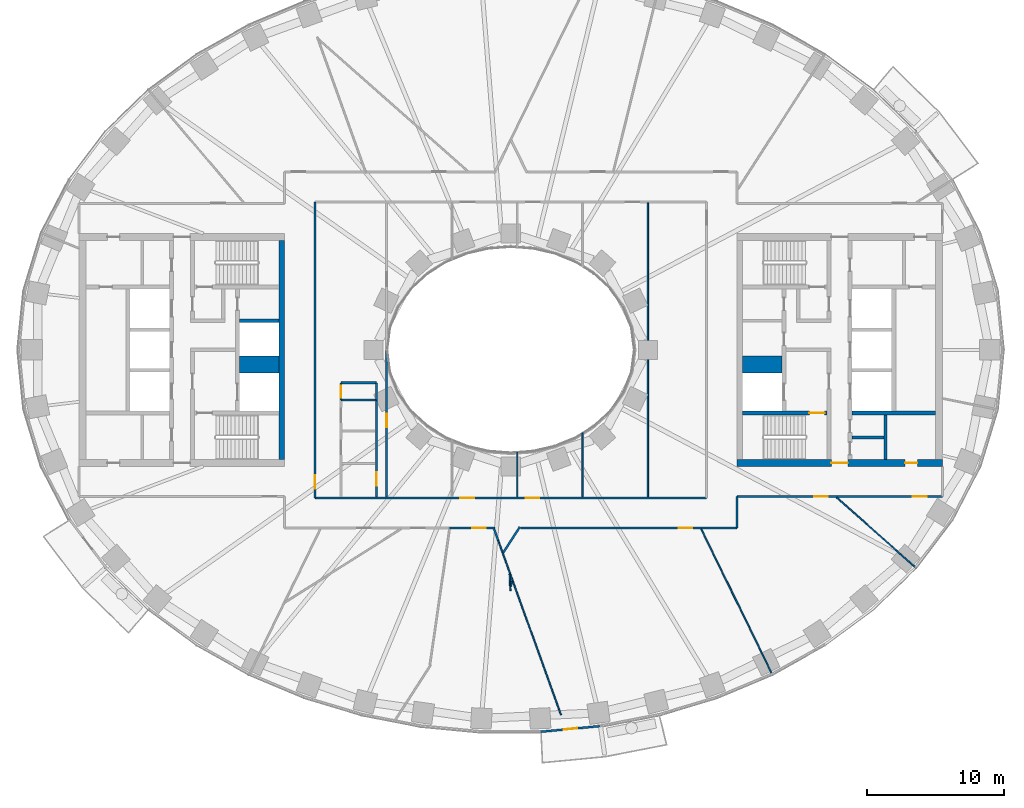
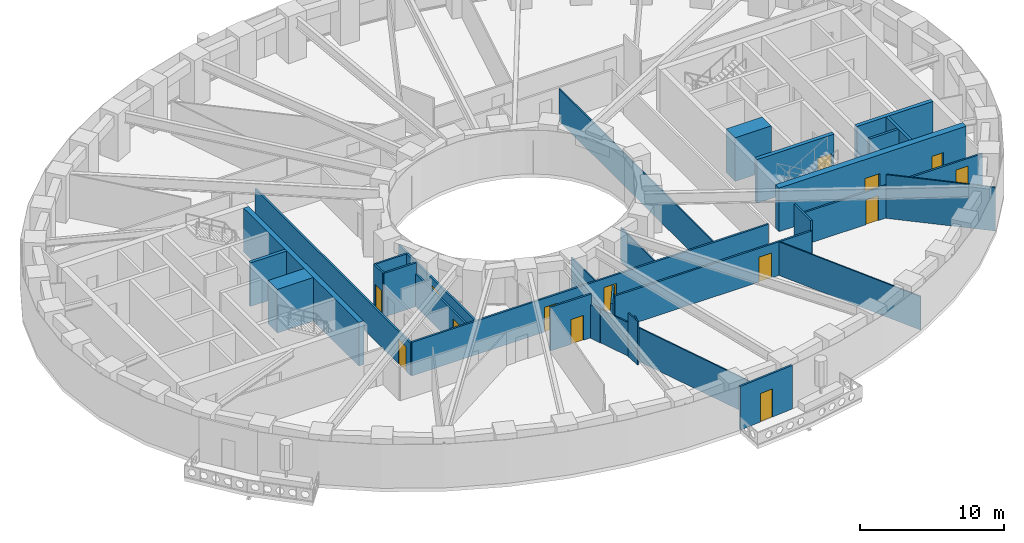
# One storey, part 4 of 16: 32 walls, 14 doors, 14 openings.
"""IFC4 building model written with IfcOpenShell, lengths in metres."""

from ifc_helpers import new_model, si_unit, direction, frame, frame_2d, origin, place, context, subcontext, project, spatial, rectangle, extrude, material, layer, layer_set, type_object, element, fill, save


model = new_model("IFC4")

# Units and contexts
model_context = context("Model", 3, precision=1e-05, world=origin(), true_north=direction((0.0, 1.0)))
body_context = subcontext(model_context, "Body", "Model", "MODEL_VIEW")
ifc_project = project(units=[si_unit("LENGTHUNIT", "METRE"), si_unit("AREAUNIT", "SQUARE_METRE"), si_unit("VOLUMEUNIT", "CUBIC_METRE"), si_unit("PLANEANGLEUNIT", "RADIAN"), si_unit("MASSUNIT", "GRAM", prefix="KILO")], contexts=[model_context])

# Site, building, storey
site_placement = place(None, origin())
site = spatial("IfcSite", under=ifc_project, at=site_placement, CompositionType="ELEMENT")
building_placement = place(site_placement, origin())
building = spatial("IfcBuilding", under=site, at=building_placement, Name="Noorbagh Ring Tower", CompositionType="ELEMENT")
storey_placement = place(building_placement, frame((0.0, 0.0, 54.5)))
storey = spatial("IfcBuildingStorey", under=building, at=storey_placement, Name="L11", CompositionType="ELEMENT", Elevation=54.5)

# Wall, opening, door
ifc_material_1 = material(Name="Gypsum board on steel studs", Category="steel")
ifc_layer_1 = layer(ifc_material_1, 0.14990234375)
ifc_layer_set_1 = layer_set([ifc_layer_1], Name="Gypsum board on steel studs")
wall_type_1 = type_object("IfcWallType", Name="COMPARTMENT PARTITION 150 EI 60", PredefinedType="PARTITIONING", material=ifc_layer_set_1)
wall_1_placement = place(storey_placement, frame((-12.39990234375, -3.659912109375, 0.0), z_axis=(0.0, 0.0, 1.0), x_axis=(0.0, 1.0, 0.0)))
wall_1 = element("IfcWall", 1, at=wall_1_placement, inside=storey, type_object=wall_type_1, Name="L11/wall/P21", PredefinedType="PARTITIONING", context=body_context, shape_type="SweptSolid", body=[
    extrude(rectangle(XDim=1.260009765625, YDim=0.14990234375, at=frame_2d((0.6298828125, 0.0))), origin(), (0.0, 0.0, 1.0), 3.699951171875),
])
opening_1_placement = place(wall_1_placement, frame((0.14990234375, 0.0, 0.0)))
opening_1 = element("IfcOpeningElement", 2, at=opening_1_placement, cuts=wall_1, Name="Opening D4", PredefinedType="OPENING", context=body_context, shape_type="SweptSolid", body=[
    extrude(rectangle(XDim=0.89990234375, YDim=2.10009765625, at=frame_2d((0.449951171875, 1.050048828125))), frame((0.0, 0.0849609375, 0.0), z_axis=(0.0, -1.0, 0.0), x_axis=(1.0, 0.0, 0.0)), (0.0, 0.0, 1.0), 0.169921875),
])
ifc_material_2 = material(Name="Timber, painted", Category="wood")
door_type_1 = type_object("IfcDoorType", Name="DOOR 900 X 2100 FD60", OperationType="SINGLE_SWING_LEFT", PredefinedType="DOOR", material=ifc_material_2)
door_1_placement = place(opening_1_placement, origin())
door_1 = element("IfcDoor", 3, at=door_1_placement, inside=storey, type_object=door_type_1, Name="L11-D05", OperationType="SINGLE_SWING_LEFT", OverallHeight=2.10009765625, OverallWidth=0.89990234375, PredefinedType="DOOR", context=body_context, shape_type="SweptSolid", body=[
    extrude(rectangle(XDim=0.89990234375, YDim=2.10009765625, at=frame_2d((0.449951171875, 1.050048828125))), frame((0.0, 0.02490234375, 0.0), z_axis=(0.0, -1.0, 0.0), x_axis=(1.0, 0.0, 0.0)), (0.0, 0.0, 1.0), 0.050048828125),
])
fill(opening_1, door_1)

# Walls
wall_2_placement = place(storey_placement, frame((-12.39990234375, -3.659912109375, 0.0), z_axis=(0.0, 0.0, 1.0), x_axis=(1.0, 0.0, 0.0)))
element("IfcWall", 4, at=wall_2_placement, inside=storey, type_object=wall_type_1, Name="L11/wall/P22", PredefinedType="PARTITIONING", context=body_context, shape_type="SweptSolid", body=[
    extrude(rectangle(XDim=2.599853515625, YDim=0.14990234375, at=frame_2d((1.2998046875, 0.0))), origin(), (0.0, 0.0, 1.0), 3.699951171875),
])
wall_3_placement = place(storey_placement, frame((-12.39990234375, -2.39990234375, 0.0), z_axis=(0.0, 0.0, 1.0), x_axis=(1.0, 0.0, 0.0)))
element("IfcWall", 5, at=wall_3_placement, inside=storey, type_object=wall_type_1, Name="L11/wall/P23", PredefinedType="PARTITIONING", context=body_context, shape_type="SweptSolid", body=[
    extrude(rectangle(XDim=2.595947265625, YDim=0.14990234375, at=frame_2d((1.2978515625, 0.0))), origin(), (0.0, 0.0, 1.0), 3.699951171875),
])
wall_4_placement = place(storey_placement, frame((-9.800048828125, -3.659912109375, 0.0), z_axis=(0.0, 0.0, 1.0), x_axis=(0.0, 1.0, 0.0)))
element("IfcWall", 6, at=wall_4_placement, inside=storey, type_object=wall_type_1, Name="L11/wall/P26", PredefinedType="PARTITIONING", context=body_context, shape_type="SweptSolid", body=[
    extrude(rectangle(XDim=1.255859375, YDim=0.14990234375, at=frame_2d((0.6279296875, 0.0))), origin(), (0.0, 0.0, 1.0), 3.699951171875),
])
ifc_material_3 = material(Name="Gypsum board on steel studs", Category="steel")
ifc_layer_2 = layer(ifc_material_3, 0.199951171875)
ifc_layer_set_2 = layer_set([ifc_layer_2], Name="Gypsum board on steel studs")
wall_type_2 = type_object("IfcWallType", Name="CORE-PARTITION-200", PredefinedType="PARTITIONING", material=ifc_layer_set_2)
wall_5_placement = place(storey_placement, frame((27.35009765625, -8.0, 0.0), z_axis=(0.0, 0.0, 1.0), x_axis=(0.0, 1.0, 0.0)))
element("IfcWall", 7, at=wall_5_placement, inside=storey, type_object=wall_type_2, Name="Core partition E", PredefinedType="PARTITIONING", context=body_context, shape_type="SweptSolid", body=[
    extrude(rectangle(XDim=3.25, YDim=0.199951171875, at=frame_2d((1.625, 0.0))), origin(), (0.0, 0.0, 1.0), 3.699951171875),
])
wall_6_placement = place(storey_placement, frame((24.89990234375, -6.39990234375, 0.0), z_axis=(0.0, 0.0, 1.0), x_axis=(1.0, 0.0, 0.0)))
element("IfcWall", 8, at=wall_6_placement, inside=storey, type_object=wall_type_2, Name="Core partition E", PredefinedType="PARTITIONING", context=body_context, shape_type="SweptSolid", body=[
    extrude(rectangle(XDim=2.35009765625, YDim=0.199951171875, at=frame_2d((1.175048828125, 0.0))), origin(), (0.0, 0.0, 1.0), 3.699951171875),
])
ifc_material_4 = material(Name="Concrete C70/85", Category="concrete")
ifc_layer_3 = layer(ifc_material_4, 1.25)
ifc_layer_set_3 = layer_set([ifc_layer_3], Name="Concrete C70/85")
wall_type_3 = type_object("IfcWallType", Name="CORE-WALL-1250-C70-85-EI120", PredefinedType="SHEAR", material=ifc_layer_set_3)
for number, where, z_axis, x_axis, name in (
    (9, (-16.89990234375, -1.074951171875, 0.0), (0.0, 0.0, 1.0), (-1.0, 0.0, 0.0), "Core wall W"),
    (10, (16.89990234375, -1.074951171875, 0.0), (0.0, 0.0, 1.0), (1.0, 0.0, 0.0), "Core wall E"),
):
    element("IfcWall", number, at=place(storey_placement, frame(where, z_axis=z_axis, x_axis=x_axis)), inside=storey, type_object=wall_type_3, Name=name, PredefinedType="SHEAR", context=body_context, shape_type="SweptSolid", body=[
        extrude(rectangle(XDim=2.900146484375, YDim=1.25, at=frame_2d((1.4501953125, 0.0))), origin(), (0.0, 0.0, 1.0), 3.699951171875),
    ])
ifc_material_5 = material(Name="Concrete C70/85", Category="concrete")
ifc_layer_4 = layer(ifc_material_5, 0.25)
ifc_layer_set_4 = layer_set([ifc_layer_4], Name="Concrete C70/85")
wall_type_4 = type_object("IfcWallType", Name="CORE-WALL-250-C70-85-EI120", PredefinedType="SHEAR", material=ifc_layer_set_4)
wall_7_placement = place(storey_placement, frame((-16.89990234375, 2.125, 0.0), z_axis=(0.0, 0.0, 1.0), x_axis=(-1.0, 0.0, 0.0)))
element("IfcWall", 11, at=wall_7_placement, inside=storey, type_object=wall_type_4, Name="Core wall W", PredefinedType="SHEAR", context=body_context, shape_type="SweptSolid", body=[
    extrude(rectangle(XDim=2.900146484375, YDim=0.25, at=frame_2d((1.4501953125, 0.0))), origin(), (0.0, 0.0, 1.0), 3.699951171875),
])
ifc_material_6 = material(Name="Concrete C70/85", Category="concrete")
ifc_layer_5 = layer(ifc_material_6, 0.300048828125)
ifc_layer_set_5 = layer_set([ifc_layer_5], Name="Concrete C70/85")
wall_type_5 = type_object("IfcWallType", Name="CORE-WALL-300-C70-85-EI240", PredefinedType="SHEAR", material=ifc_layer_set_5)
wall_8_placement = place(storey_placement, frame((24.89990234375, -4.60009765625, 0.0), z_axis=(0.0, 0.0, 1.0), x_axis=(1.0, 0.0, 0.0)))
element("IfcWall", 12, at=wall_8_placement, inside=storey, type_object=wall_type_5, Name="Core wall E", PredefinedType="SHEAR", context=body_context, shape_type="SweptSolid", body=[
    extrude(rectangle(XDim=6.10009765625, YDim=0.300048828125, at=frame_2d((3.050048828125, 0.0))), origin(), (0.0, 0.0, 1.0), 3.699951171875),
])

# Wall, opening, door
wall_9_placement = place(storey_placement, frame((16.89990234375, -4.60009765625, 0.0), z_axis=(0.0, 0.0, 1.0), x_axis=(1.0, 0.0, 0.0)))
wall_9 = element("IfcWall", 13, at=wall_9_placement, inside=storey, type_object=wall_type_5, Name="Core wall E", PredefinedType="SHEAR", context=body_context, shape_type="SweptSolid", body=[
    extrude(rectangle(XDim=6.18017578125, YDim=0.300048828125, at=frame_2d((3.090087890625, 0.0))), origin(), (0.0, 0.0, 1.0), 3.699951171875),
])
opening_2_placement = place(wall_9_placement, frame((4.89990234375, 0.0, 0.0)))
opening_2 = element("IfcOpeningElement", 14, at=opening_2_placement, cuts=wall_9, Name="Opening L11-CE06", PredefinedType="OPENING", context=body_context, shape_type="SweptSolid", body=[
    extrude(rectangle(XDim=1.10009765625, YDim=2.10009765625, at=frame_2d((0.550048828125, 1.050048828125))), frame((0.0, 0.16015625, 0.0), z_axis=(0.0, -1.0, 0.0), x_axis=(1.0, 0.0, 0.0)), (0.0, 0.0, 1.0), 0.320068359375),
])
ifc_material_7 = material(Name="Steel door leaf", Category="steel")
door_type_2 = type_object("IfcDoorType", Name="CORE-DOOR-DSTAIR", OperationType="SINGLE_SWING_LEFT", PredefinedType="DOOR", material=ifc_material_7)
door_2_placement = place(opening_2_placement, origin())
door_2 = element("IfcDoor", 15, at=door_2_placement, inside=storey, type_object=door_type_2, Name="Stair door ST4 L11-CE06", OperationType="SINGLE_SWING_RIGHT", OverallHeight=2.10009765625, OverallWidth=1.10009765625, PredefinedType="DOOR", context=body_context, shape_type="SweptSolid", body=[
    extrude(rectangle(XDim=1.10009765625, YDim=2.10009765625, at=frame_2d((0.550048828125, 1.050048828125))), frame((0.0, 0.02490234375, 0.0), z_axis=(0.0, -1.0, 0.0), x_axis=(1.0, 0.0, 0.0)), (0.0, 0.0, 1.0), 0.050048828125),
])
fill(opening_2, door_2)

# Wall
ifc_material_8 = material(Name="Concrete C70/85", Category="concrete")
ifc_layer_6 = layer(ifc_material_8, 0.39990234375)
ifc_layer_set_6 = layer_set([ifc_layer_6], Name="Concrete C70/85")
wall_type_6 = type_object("IfcWallType", Name="CORE-WALL-400-C70-85-EI240", PredefinedType="SHEAR", material=ifc_layer_set_6)
wall_10_placement = place(storey_placement, frame((-16.699951171875, -8.0, 0.0), z_axis=(0.0, 0.0, 1.0), x_axis=(0.0, 1.0, 0.0)))
element("IfcWall", 16, at=wall_10_placement, inside=storey, type_object=wall_type_6, Name="Core wall W", PredefinedType="SHEAR", context=body_context, shape_type="SweptSolid", body=[
    extrude(rectangle(XDim=16.0, YDim=0.39990234375, at=frame_2d((8.0, 0.0))), origin(), (0.0, 0.0, 1.0), 3.699951171875),
])

# Wall, openings, doors
ifc_material_9 = material(Name="Concrete C70/85", Category="concrete")
ifc_layer_7 = layer(ifc_material_9, 0.5)
ifc_layer_set_7 = layer_set([ifc_layer_7], Name="Concrete C70/85")
wall_type_7 = type_object("IfcWallType", Name="CORE-WALL-500-C70-85-EI240", PredefinedType="SHEAR", material=ifc_layer_set_7)
wall_11_placement = place(storey_placement, frame((16.5, -8.25, 0.0), z_axis=(0.0, 0.0, 1.0), x_axis=(1.0, 0.0, 0.0)))
wall_11 = element("IfcWall", 17, at=wall_11_placement, inside=storey, type_object=wall_type_7, Name="Core wall E", PredefinedType="SHEAR", context=body_context, shape_type="SweptSolid", body=[
    extrude(rectangle(XDim=15.0, YDim=0.5, at=frame_2d((7.5, 0.0))), origin(), (0.0, 0.0, 1.0), 3.699951171875),
])
opening_3_placement = place(wall_11_placement, frame((6.89990234375, 0.0, 0.0)))
opening_3 = element("IfcOpeningElement", 18, at=opening_3_placement, cuts=wall_11, Name="Opening L11-CE10", PredefinedType="OPENING", context=body_context, shape_type="SweptSolid", body=[
    extrude(rectangle(XDim=1.199951171875, YDim=2.10009765625, at=frame_2d((0.60009765625, 1.050048828125))), frame((0.0, 0.260009765625, 0.0), z_axis=(0.0, -1.0, 0.0), x_axis=(1.0, 0.0, 0.0)), (0.0, 0.0, 1.0), 0.52001953125),
])
opening_4_placement = place(wall_11_placement, frame((12.27490234375, 0.0, 0.0)))
opening_4 = element("IfcOpeningElement", 19, at=opening_4_placement, cuts=wall_11, Name="Opening L11-CE17", PredefinedType="OPENING", context=body_context, shape_type="SweptSolid", body=[
    extrude(rectangle(XDim=0.89990234375, YDim=2.10009765625, at=frame_2d((0.449951171875, 1.050048828125))), frame((0.0, 0.260009765625, 0.0), z_axis=(0.0, -1.0, 0.0), x_axis=(1.0, 0.0, 0.0)), (0.0, 0.0, 1.0), 0.52001953125),
])
ifc_material_10 = material(Name="Steel door leaf", Category="steel")
door_type_3 = type_object("IfcDoorType", Name="CORE-DOOR-DROOM", OperationType="SINGLE_SWING_LEFT", PredefinedType="DOOR", material=ifc_material_10)
door_3_placement = place(opening_4_placement, origin())
door_3 = element("IfcDoor", 20, at=door_3_placement, inside=storey, type_object=door_type_3, Name="Core room door L11-CE17", OperationType="SINGLE_SWING_RIGHT", OverallHeight=2.10009765625, OverallWidth=0.89990234375, PredefinedType="DOOR", context=body_context, shape_type="SweptSolid", body=[
    extrude(rectangle(XDim=0.89990234375, YDim=2.10009765625, at=frame_2d((0.449951171875, 1.050048828125))), frame((0.0, 0.02490234375, 0.0), z_axis=(0.0, -1.0, 0.0), x_axis=(1.0, 0.0, 0.0)), (0.0, 0.0, 1.0), 0.050048828125),
])
fill(opening_4, door_3)
ifc_material_11 = material(Name="Steel door leaf", Category="steel")
door_type_4 = type_object("IfcDoorType", Name="CORE-DOOR-PORT", OperationType="DOUBLE_DOOR_DOUBLE_SWING", PredefinedType="DOOR", material=ifc_material_11)
door_4_placement = place(opening_3_placement, origin())
door_4 = element("IfcDoor", 21, at=door_4_placement, inside=storey, type_object=door_type_4, Name="Core entrance door L11-CE10", OperationType="DOUBLE_DOOR_DOUBLE_SWING", OverallHeight=2.10009765625, OverallWidth=1.199951171875, PredefinedType="DOOR", context=body_context, shape_type="SweptSolid", body=[
    extrude(rectangle(XDim=1.199951171875, YDim=2.10009765625, at=frame_2d((0.60009765625, 1.050048828125))), frame((0.0, 0.02490234375, 0.0), z_axis=(0.0, -1.0, 0.0), x_axis=(1.0, 0.0, 0.0)), (0.0, 0.0, 1.0), 0.050048828125),
])
fill(opening_3, door_4)

# Wall, opening, door
ifc_material_12 = material(Name="Gypsum board on steel studs", Category="steel")
ifc_layer_8 = layer(ifc_material_12, 0.14990234375)
ifc_layer_set_8 = layer_set([ifc_layer_8], Name="Gypsum board on steel studs")
wall_type_8 = type_object("IfcWallType", Name="CORRIDOR PARTITION 150 EI 30", PredefinedType="PARTITIONING", material=ifc_layer_set_8)
wall_12_placement = place(storey_placement, frame((-14.300048828125, -10.800048828125, 0.0), z_axis=(0.0, 0.0, 1.0), x_axis=(0.0, 1.0, 0.0)))
wall_12 = element("IfcWall", 22, at=wall_12_placement, inside=storey, type_object=wall_type_8, Name="L11/wall/P13", PredefinedType="PARTITIONING", context=body_context, shape_type="SweptSolid", body=[
    extrude(rectangle(XDim=21.60009765625, YDim=0.14990234375, at=frame_2d((10.800048828125, 0.0))), origin(), (0.0, 0.0, 1.0), 2.75),
])
opening_5_placement = place(wall_12_placement, frame((0.64990234375, 0.0, 0.0)))
opening_5 = element("IfcOpeningElement", 23, at=opening_5_placement, cuts=wall_12, Name="Opening D1", PredefinedType="OPENING", context=body_context, shape_type="SweptSolid", body=[
    extrude(rectangle(XDim=1.0, YDim=2.10009765625, at=frame_2d((0.5, 1.050048828125))), frame((0.0, 0.0849609375, 0.0), z_axis=(0.0, -1.0, 0.0), x_axis=(1.0, 0.0, 0.0)), (0.0, 0.0, 1.0), 0.169921875),
])
ifc_material_13 = material(Name="Timber, painted", Category="wood")
door_type_5 = type_object("IfcDoorType", Name="DOOR 1000 X 2100 FD30", OperationType="SINGLE_SWING_LEFT", PredefinedType="DOOR", material=ifc_material_13)
door_5_placement = place(opening_5_placement, origin())
door_5 = element("IfcDoor", 24, at=door_5_placement, inside=storey, type_object=door_type_5, Name="L11-D01", OperationType="SINGLE_SWING_LEFT", OverallHeight=2.10009765625, OverallWidth=1.0, PredefinedType="DOOR", context=body_context, shape_type="SweptSolid", body=[
    extrude(rectangle(XDim=1.0, YDim=2.10009765625, at=frame_2d((0.5, 1.050048828125))), frame((0.0, 0.02490234375, 0.0), z_axis=(0.0, -1.0, 0.0), x_axis=(1.0, 0.0, 0.0)), (0.0, 0.0, 1.0), 0.050048828125),
])
fill(opening_5, door_5)

# Wall, openings, doors
wall_13_placement = place(storey_placement, frame((-14.300048828125, -10.800048828125, 0.0), z_axis=(0.0, 0.0, 1.0), x_axis=(1.0, 0.0, 0.0)))
wall_13 = element("IfcWall", 25, at=wall_13_placement, inside=storey, type_object=wall_type_8, Name="L11/wall/P14", PredefinedType="PARTITIONING", context=body_context, shape_type="SweptSolid", body=[
    extrude(rectangle(XDim=28.60009765625, YDim=0.14990234375, at=frame_2d((14.300048828125, 0.0))), origin(), (0.0, 0.0, 1.0), 2.85009765625),
])
opening_6_placement = place(wall_13_placement, frame((10.626953125, 0.0, 0.0)))
opening_6 = element("IfcOpeningElement", 26, at=opening_6_placement, cuts=wall_13, Name="Opening D1", PredefinedType="OPENING", context=body_context, shape_type="SweptSolid", body=[
    extrude(rectangle(XDim=1.0, YDim=2.10009765625, at=frame_2d((0.5, 1.050048828125))), frame((0.0, 0.0849609375, 0.0), z_axis=(0.0, -1.0, 0.0), x_axis=(1.0, 0.0, 0.0)), (0.0, 0.0, 1.0), 0.169921875),
])
opening_7_placement = place(wall_13_placement, frame((15.39306640625, 0.0, 0.0)))
opening_7 = element("IfcOpeningElement", 27, at=opening_7_placement, cuts=wall_13, Name="Opening D1", PredefinedType="OPENING", context=body_context, shape_type="SweptSolid", body=[
    extrude(rectangle(XDim=1.0, YDim=2.10009765625, at=frame_2d((0.5, 1.050048828125))), frame((0.0, 0.0849609375, 0.0), z_axis=(0.0, -1.0, 0.0), x_axis=(1.0, 0.0, 0.0)), (0.0, 0.0, 1.0), 0.169921875),
])
door_6_placement = place(opening_6_placement, origin())
door_6 = element("IfcDoor", 28, at=door_6_placement, inside=storey, type_object=door_type_5, Name="L11-D22", OperationType="SINGLE_SWING_RIGHT", OverallHeight=2.10009765625, OverallWidth=1.0, PredefinedType="DOOR", context=body_context, shape_type="SweptSolid", body=[
    extrude(rectangle(XDim=1.0, YDim=2.10009765625, at=frame_2d((0.5, 1.050048828125))), frame((0.0, 0.02490234375, 0.0), z_axis=(0.0, -1.0, 0.0), x_axis=(1.0, 0.0, 0.0)), (0.0, 0.0, 1.0), 0.050048828125),
])
fill(opening_6, door_6)
door_7_placement = place(opening_7_placement, origin())
door_7 = element("IfcDoor", 29, at=door_7_placement, inside=storey, type_object=door_type_5, Name="L11-D24", OperationType="SINGLE_SWING_RIGHT", OverallHeight=2.10009765625, OverallWidth=1.0, PredefinedType="DOOR", context=body_context, shape_type="SweptSolid", body=[
    extrude(rectangle(XDim=1.0, YDim=2.10009765625, at=frame_2d((0.5, 1.050048828125))), frame((0.0, 0.02490234375, 0.0), z_axis=(0.0, -1.0, 0.0), x_axis=(1.0, 0.0, 0.0)), (0.0, 0.0, 1.0), 0.050048828125),
])
fill(opening_7, door_7)

# Wall, opening, door
wall_14_placement = place(storey_placement, frame((-9.800048828125, -10.72509765625, 0.0), z_axis=(0.0, 0.0, 1.0), x_axis=(0.0, 1.0, 0.0)))
wall_14 = element("IfcWall", 30, at=wall_14_placement, inside=storey, type_object=wall_type_8, Name="L11/wall/P25", PredefinedType="PARTITIONING", context=body_context, shape_type="SweptSolid", body=[
    extrude(rectangle(XDim=7.065185546875, YDim=0.14990234375, at=frame_2d((3.53271484375, 0.0))), origin(), (0.0, 0.0, 1.0), 2.75),
])
opening_8_placement = place(wall_14_placement, frame((0.794921875, 0.0, 0.0)))
opening_8 = element("IfcOpeningElement", 31, at=opening_8_placement, cuts=wall_14, Name="Opening D3", PredefinedType="OPENING", context=body_context, shape_type="SweptSolid", body=[
    extrude(rectangle(XDim=1.0, YDim=2.10009765625, at=frame_2d((0.5, 1.050048828125))), frame((0.0, 0.0849609375, 0.0), z_axis=(0.0, -1.0, 0.0), x_axis=(1.0, 0.0, 0.0)), (0.0, 0.0, 1.0), 0.169921875),
])
ifc_material_14 = material(Name="Timber, painted", Category="wood")
door_type_6 = type_object("IfcDoorType", Name="DOOR 1000 X 2100 WC", OperationType="SINGLE_SWING_LEFT", PredefinedType="DOOR", material=ifc_material_14)
door_8_placement = place(opening_8_placement, origin())
door_8 = element("IfcDoor", 32, at=door_8_placement, inside=storey, type_object=door_type_6, Name="L11-D02", OperationType="SINGLE_SWING_RIGHT", OverallHeight=2.10009765625, OverallWidth=1.0, PredefinedType="DOOR", context=body_context, shape_type="SweptSolid", body=[
    extrude(rectangle(XDim=1.0, YDim=2.10009765625, at=frame_2d((0.5, 1.050048828125))), frame((0.0, 0.02490234375, 0.0), z_axis=(0.0, -1.0, 0.0), x_axis=(1.0, 0.0, 0.0)), (0.0, 0.0, 1.0), 0.050048828125),
])
fill(opening_8, door_8)

wall_15_placement = place(storey_placement, frame((-9.056884765625, -10.72509765625, 0.0), z_axis=(0.0, 0.0, 1.0), x_axis=(0.0, 1.0, 0.0)))
wall_15 = element("IfcWall", 33, at=wall_15_placement, inside=storey, type_object=wall_type_8, Name="L11/wall/P27", PredefinedType="PARTITIONING", context=body_context, shape_type="SweptSolid", body=[
    extrude(rectangle(XDim=10.68017578125, YDim=0.14990234375, at=frame_2d((5.340087890625, 0.0))), origin(), (0.0, 0.0, 1.0), 2.75),
])
opening_9_placement = place(wall_15_placement, frame((5.074951171875, 0.0, 0.0)))
opening_9 = element("IfcOpeningElement", 34, at=opening_9_placement, cuts=wall_15, Name="Opening D1", PredefinedType="OPENING", context=body_context, shape_type="SweptSolid", body=[
    extrude(rectangle(XDim=1.0, YDim=2.10009765625, at=frame_2d((0.5, 1.050048828125))), frame((0.0, 0.0849609375, 0.0), z_axis=(0.0, -1.0, 0.0), x_axis=(1.0, 0.0, 0.0)), (0.0, 0.0, 1.0), 0.169921875),
])
door_9_placement = place(opening_9_placement, origin())
door_9 = element("IfcDoor", 35, at=door_9_placement, inside=storey, type_object=door_type_5, Name="L11-D20", OperationType="SINGLE_SWING_RIGHT", OverallHeight=2.10009765625, OverallWidth=1.0, PredefinedType="DOOR", context=body_context, shape_type="SweptSolid", body=[
    extrude(rectangle(XDim=1.0, YDim=2.10009765625, at=frame_2d((0.5, 1.050048828125))), frame((0.0, 0.02490234375, 0.0), z_axis=(0.0, -1.0, 0.0), x_axis=(1.0, 0.0, 0.0)), (0.0, 0.0, 1.0), 0.050048828125),
])
fill(opening_9, door_9)

wall_16_placement = place(storey_placement, frame((-4.458984375, -13.0, 0.0), z_axis=(0.0, 0.0, 1.0), x_axis=(1.0, 0.0, 0.0)))
wall_16 = element("IfcWall", 36, at=wall_16_placement, inside=storey, type_object=wall_type_8, Name="L11/wall/P31", PredefinedType="PARTITIONING", context=body_context, shape_type="SweptSolid", body=[
    extrude(rectangle(XDim=3.29296875, YDim=0.14990234375, at=frame_2d((1.646484375, 0.0))), origin(), (0.0, 0.0, 1.0), 3.699951171875),
])
opening_10_placement = place(wall_16_placement, frame((1.6298828125, 0.0, 0.0)))
opening_10 = element("IfcOpeningElement", 37, at=opening_10_placement, cuts=wall_16, Name="Opening D1", PredefinedType="OPENING", context=body_context, shape_type="SweptSolid", body=[
    extrude(rectangle(XDim=1.0, YDim=2.10009765625, at=frame_2d((0.5, 1.050048828125))), frame((0.0, 0.0849609375, 0.0), z_axis=(0.0, -1.0, 0.0), x_axis=(1.0, 0.0, 0.0)), (0.0, 0.0, 1.0), 0.169921875),
])
door_10_placement = place(opening_10_placement, origin())
door_10 = element("IfcDoor", 38, at=door_10_placement, inside=storey, type_object=door_type_5, Name="L11-D12", OperationType="SINGLE_SWING_RIGHT", OverallHeight=2.10009765625, OverallWidth=1.0, PredefinedType="DOOR", context=body_context, shape_type="SweptSolid", body=[
    extrude(rectangle(XDim=1.0, YDim=2.10009765625, at=frame_2d((0.5, 1.050048828125))), frame((0.0, 0.02490234375, 0.0), z_axis=(0.0, -1.0, 0.0), x_axis=(1.0, 0.0, 0.0)), (0.0, 0.0, 1.0), 0.050048828125),
])
fill(opening_10, door_10)

# Walls
wall_17_placement = place(storey_placement, frame((-1.218017578125, -13.0791015625, 0.0), z_axis=(0.0, 0.0, 1.0), x_axis=(0.339052677967, -0.940767389722, 0.0)))
element("IfcWall", 39, at=wall_17_placement, inside=storey, type_object=wall_type_8, Name="L11/wall/P34", PredefinedType="PARTITIONING", context=body_context, shape_type="SweptSolid", body=[
    extrude(rectangle(XDim=0.882080078125, YDim=0.14990234375, at=frame_2d((0.44091796875, 0.0))), origin(), (0.0, 0.0, 1.0), 2.85009765625),
])
wall_18_placement = place(storey_placement, frame((-0.553955078125, -14.805908203125, 0.0), z_axis=(0.0, 0.0, 1.0), x_axis=(0.542256038928, 0.840213299256, 0.0)))
element("IfcWall", 40, at=wall_18_placement, inside=storey, type_object=wall_type_8, Name="L11/wall/P39", PredefinedType="PARTITIONING", context=body_context, shape_type="SweptSolid", body=[
    extrude(rectangle(XDim=2.238525390625, YDim=0.14990234375, at=frame_2d((1.119140625, 0.0))), origin(), (0.0, 0.0, 1.0), 3.699951171875),
])

# Wall, opening, door
wall_19_placement = place(storey_placement, frame((0.700927734375, -13.0, 0.0), z_axis=(0.0, 0.0, 1.0), x_axis=(1.0, 0.0, 0.0)))
wall_19 = element("IfcWall", 41, at=wall_19_placement, inside=storey, type_object=wall_type_8, Name="L11/wall/P44", PredefinedType="PARTITIONING", context=body_context, shape_type="SweptSolid", body=[
    extrude(rectangle(XDim=15.799072265625, YDim=0.14990234375, at=frame_2d((7.8994140625, 0.0))), origin(), (0.0, 0.0, 1.0), 2.85009765625),
])
opening_11_placement = place(wall_19_placement, frame((11.56103515625, 0.0, 0.0)))
opening_11 = element("IfcOpeningElement", 42, at=opening_11_placement, cuts=wall_19, Name="Opening D1", PredefinedType="OPENING", context=body_context, shape_type="SweptSolid", body=[
    extrude(rectangle(XDim=1.0, YDim=2.10009765625, at=frame_2d((0.5, 1.050048828125))), frame((0.0, 0.0849609375, 0.0), z_axis=(0.0, -1.0, 0.0), x_axis=(1.0, 0.0, 0.0)), (0.0, 0.0, 1.0), 0.169921875),
])
door_11_placement = place(opening_11_placement, origin())
door_11 = element("IfcDoor", 43, at=door_11_placement, inside=storey, type_object=door_type_5, Name="L11-D14", OperationType="SINGLE_SWING_RIGHT", OverallHeight=2.10009765625, OverallWidth=1.0, PredefinedType="DOOR", context=body_context, shape_type="SweptSolid", body=[
    extrude(rectangle(XDim=1.0, YDim=2.10009765625, at=frame_2d((0.5, 1.050048828125))), frame((0.0, 0.02490234375, 0.0), z_axis=(0.0, -1.0, 0.0), x_axis=(1.0, 0.0, 0.0)), (0.0, 0.0, 1.0), 0.050048828125),
])
fill(opening_11, door_11)

# Wall
wall_20_placement = place(storey_placement, frame((16.5, -13.0, 0.0), z_axis=(0.0, 0.0, 1.0), x_axis=(0.0, 1.0, 0.0)))
element("IfcWall", 44, at=wall_20_placement, inside=storey, type_object=wall_type_8, Name="L11/wall/P53", PredefinedType="PARTITIONING", context=body_context, shape_type="SweptSolid", body=[
    extrude(rectangle(XDim=2.300048828125, YDim=0.14990234375, at=frame_2d((1.14990234375, 0.0))), origin(), (0.0, 0.0, 1.0), 3.699951171875),
])

# Wall, openings, doors
wall_21_placement = place(storey_placement, frame((16.5, -10.699951171875, 0.0), z_axis=(0.0, 0.0, 1.0), x_axis=(1.0, 0.0, 0.0)))
wall_21 = element("IfcWall", 45, at=wall_21_placement, inside=storey, type_object=wall_type_8, Name="L11/wall/P54", PredefinedType="PARTITIONING", context=body_context, shape_type="SweptSolid", body=[
    extrude(rectangle(XDim=15.0, YDim=0.14990234375, at=frame_2d((7.5, 0.0))), origin(), (0.0, 0.0, 1.0), 2.75),
])
opening_12_placement = place(wall_21_placement, frame((5.64990234375, 0.0, 0.0)))
opening_12 = element("IfcOpeningElement", 46, at=opening_12_placement, cuts=wall_21, Name="Opening D1", PredefinedType="OPENING", context=body_context, shape_type="SweptSolid", body=[
    extrude(rectangle(XDim=1.0, YDim=2.10009765625, at=frame_2d((0.5, 1.050048828125))), frame((0.0, 0.0849609375, 0.0), z_axis=(0.0, -1.0, 0.0), x_axis=(1.0, 0.0, 0.0)), (0.0, 0.0, 1.0), 0.169921875),
])
opening_13_placement = place(wall_21_placement, frame((12.846923828125, 0.0, 0.0)))
opening_13 = element("IfcOpeningElement", 47, at=opening_13_placement, cuts=wall_21, Name="Opening D1", PredefinedType="OPENING", context=body_context, shape_type="SweptSolid", body=[
    extrude(rectangle(XDim=1.0, YDim=2.10009765625, at=frame_2d((0.5, 1.050048828125))), frame((0.0, 0.0849609375, 0.0), z_axis=(0.0, -1.0, 0.0), x_axis=(1.0, 0.0, 0.0)), (0.0, 0.0, 1.0), 0.169921875),
])
door_12_placement = place(opening_12_placement, origin())
door_12 = element("IfcDoor", 48, at=door_12_placement, inside=storey, type_object=door_type_5, Name="L11-D16", OperationType="SINGLE_SWING_RIGHT", OverallHeight=2.10009765625, OverallWidth=1.0, PredefinedType="DOOR", context=body_context, shape_type="SweptSolid", body=[
    extrude(rectangle(XDim=1.0, YDim=2.10009765625, at=frame_2d((0.5, 1.050048828125))), frame((0.0, 0.02490234375, 0.0), z_axis=(0.0, -1.0, 0.0), x_axis=(1.0, 0.0, 0.0)), (0.0, 0.0, 1.0), 0.050048828125),
])
fill(opening_12, door_12)
door_13_placement = place(opening_13_placement, origin())
door_13 = element("IfcDoor", 49, at=door_13_placement, inside=storey, type_object=door_type_5, Name="L11-D18", OperationType="SINGLE_SWING_RIGHT", OverallHeight=2.10009765625, OverallWidth=1.0, PredefinedType="DOOR", context=body_context, shape_type="SweptSolid", body=[
    extrude(rectangle(XDim=1.0, YDim=2.10009765625, at=frame_2d((0.5, 1.050048828125))), frame((0.0, 0.02490234375, 0.0), z_axis=(0.0, -1.0, 0.0), x_axis=(1.0, 0.0, 0.0)), (0.0, 0.0, 1.0), 0.050048828125),
])
fill(opening_13, door_13)

# Wall, opening, door
ifc_material_15 = material(Name="Insulated aluminium clad panel", Category="aluminium")
ifc_layer_9 = layer(ifc_material_15, 0.14990234375)
ifc_layer_set_9 = layer_set([ifc_layer_9], Name="Insulated aluminium clad panel")
wall_type_9 = type_object("IfcWallType", Name="ENV-WALL-DOOR", PredefinedType="STANDARD", material=ifc_layer_set_9)
wall_22_placement = place(storey_placement, frame((2.166259765625, -27.875244140625, 0.0), z_axis=(0.0, 0.0, 1.0), x_axis=(0.995473879823, 0.095035543824, 0.0)))
wall_22 = element("IfcWall", 50, at=wall_22_placement, inside=storey, type_object=wall_type_9, Name="Balcony door wall chord 36", PredefinedType="STANDARD", context=body_context, shape_type="SweptSolid", body=[
    extrude(rectangle(XDim=4.42626953125, YDim=0.14990234375, at=frame_2d((2.213134765625, 0.0))), origin(), (0.0, 0.0, 1.0), 3.699951171875),
])
opening_14_placement = place(wall_22_placement, frame((1.713134765625, 0.0, 0.0)))
opening_14 = element("IfcOpeningElement", 51, at=opening_14_placement, cuts=wall_22, Name="Opening D-BL", PredefinedType="OPENING", context=body_context, shape_type="SweptSolid", body=[
    extrude(rectangle(XDim=1.0, YDim=2.39990234375, at=frame_2d((0.5, 1.199951171875))), frame((0.0, 0.0849609375, 0.0), z_axis=(0.0, -1.0, 0.0), x_axis=(1.0, 0.0, 0.0)), (0.0, 0.0, 1.0), 0.169921875),
])
ifc_material_16 = material(Name="Aluminium and glass", Category="aluminium")
door_type_7 = type_object("IfcDoorType", Name="ENV-DOOR-BALCONY", OperationType="SINGLE_SWING_LEFT", PredefinedType="DOOR", material=ifc_material_16)
door_14_placement = place(opening_14_placement, origin())
door_14 = element("IfcDoor", 52, at=door_14_placement, inside=storey, type_object=door_type_7, Name="Balcony door chord 36", OperationType="SINGLE_SWING_RIGHT", OverallHeight=2.39990234375, OverallWidth=1.0, PredefinedType="DOOR", context=body_context, shape_type="SweptSolid", body=[
    extrude(rectangle(XDim=1.0, YDim=2.39990234375, at=frame_2d((0.5, 1.199951171875))), frame((0.0, 0.02490234375, 0.0), z_axis=(0.0, -1.0, 0.0), x_axis=(1.0, 0.0, 0.0)), (0.0, 0.0, 1.0), 0.050048828125),
])
fill(opening_14, door_14)

# Walls
ifc_material_17 = material(Name="Gypsum board on steel studs", Category="steel")
ifc_layer_10 = layer(ifc_material_17, 0.10009765625)
ifc_layer_set_10 = layer_set([ifc_layer_10], Name="Gypsum board on steel studs")
wall_type_10 = type_object("IfcWallType", Name="PARTITION 100 GYPSUM", PredefinedType="PARTITIONING", material=ifc_layer_set_10)
wall_23_placement = place(storey_placement, frame((-0.916015625, -13.91796875, 0.0), z_axis=(0.0, 0.0, 1.0), x_axis=(0.338982154044, -0.940792803565, 0.0)))
element("IfcWall", 53, at=wall_23_placement, inside=storey, type_object=wall_type_10, Name="L11/wall/P36", PredefinedType="PARTITIONING", context=body_context, shape_type="SweptSolid", body=[
    extrude(rectangle(XDim=13.525634765625, YDim=0.10009765625, at=frame_2d((6.7626953125, 0.0))), origin(), (0.0, 0.0, 1.0), 2.85009765625),
])
wall_24_placement = place(storey_placement, frame((-0.083984375, -16.35595703125, 0.0), z_axis=(0.0, 0.0, 1.0), x_axis=(0.047967320325, -0.998848905581, 0.0)))
element("IfcWall", 54, at=wall_24_placement, inside=storey, type_object=wall_type_10, Name="L11/wall/P38", PredefinedType="PARTITIONING", context=body_context, shape_type="SweptSolid", body=[
    extrude(rectangle(XDim=1.21142578125, YDim=0.10009765625, at=frame_2d((0.605712890625, 0.0))), origin(), (0.0, 0.0, 1.0), 3.699951171875),
])
wall_25_placement = place(storey_placement, frame((0.001953125, -17.283935546875, 0.0), z_axis=(0.0, 0.0, 1.0), x_axis=(0.240121592304, 0.970742819139, 0.0)))
element("IfcWall", 55, at=wall_25_placement, inside=storey, type_object=wall_type_10, Name="L11/wall/P40", PredefinedType="PARTITIONING", context=body_context, shape_type="SweptSolid", body=[
    extrude(rectangle(XDim=0.404541015625, YDim=0.10009765625, at=frame_2d((0.2021484375, 0.0))), origin(), (0.0, 0.0, 1.0), 3.699951171875),
])
wall_26_placement = place(storey_placement, frame((0.47705078125, -10.72509765625, 0.0), z_axis=(0.0, 0.0, 1.0), x_axis=(0.0, 1.0, 0.0)))
element("IfcWall", 56, at=wall_26_placement, inside=storey, type_object=wall_type_10, Name="L11/wall/P42", PredefinedType="PARTITIONING", context=body_context, shape_type="SweptSolid", body=[
    extrude(rectangle(XDim=3.257080078125, YDim=0.10009765625, at=frame_2d((1.62841796875, 0.0))), origin(), (0.0, 0.0, 1.0), 2.85009765625),
])
wall_27_placement = place(storey_placement, frame((5.242919921875, -10.72509765625, 0.0), z_axis=(0.0, 0.0, 1.0), x_axis=(0.0, 1.0, 0.0)))
element("IfcWall", 57, at=wall_27_placement, inside=storey, type_object=wall_type_10, Name="L11/wall/P46", PredefinedType="PARTITIONING", context=body_context, shape_type="SweptSolid", body=[
    extrude(rectangle(XDim=4.666015625, YDim=0.10009765625, at=frame_2d((2.3330078125, 0.0))), origin(), (0.0, 0.0, 1.0), 2.85009765625),
])
wall_28_placement = place(storey_placement, frame((10.010009765625, -10.72509765625, 0.0), z_axis=(0.0, 0.0, 1.0), x_axis=(0.0, 1.0, 0.0)))
element("IfcWall", 58, at=wall_28_placement, inside=storey, type_object=wall_type_10, Name="L11/wall/P50", PredefinedType="PARTITIONING", context=body_context, shape_type="SweptSolid", body=[
    extrude(rectangle(XDim=21.4501953125, YDim=0.10009765625, at=frame_2d((10.72509765625, 0.0))), origin(), (0.0, 0.0, 1.0), 2.75),
])
wall_29_placement = place(storey_placement, frame((13.89892578125, -13.074951171875, 0.0), z_axis=(0.0, 0.0, 1.0), x_axis=(0.439199750603, -0.898389436197, 0.0)))
element("IfcWall", 59, at=wall_29_placement, inside=storey, type_object=wall_type_10, Name="L11/wall/P51", PredefinedType="PARTITIONING", context=body_context, shape_type="SweptSolid", body=[
    extrude(rectangle(XDim=11.81005859375, YDim=0.10009765625, at=frame_2d((5.905029296875, 0.0))), origin(), (0.0, 0.0, 1.0), 2.85009765625),
])
wall_30_placement = place(storey_placement, frame((23.784912109375, -10.778076171875, 0.0), z_axis=(0.0, 0.0, 1.0), x_axis=(0.748985701008, -0.662586160198, 0.0)))
element("IfcWall", 60, at=wall_30_placement, inside=storey, type_object=wall_type_10, Name="L11/wall/P58", PredefinedType="PARTITIONING", context=body_context, shape_type="SweptSolid", body=[
    extrude(rectangle(XDim=7.72265625, YDim=0.10009765625, at=frame_2d((3.861328125, 0.0))), origin(), (0.0, 0.0, 1.0), 3.699951171875),
])

save(model, "model.ifc")
